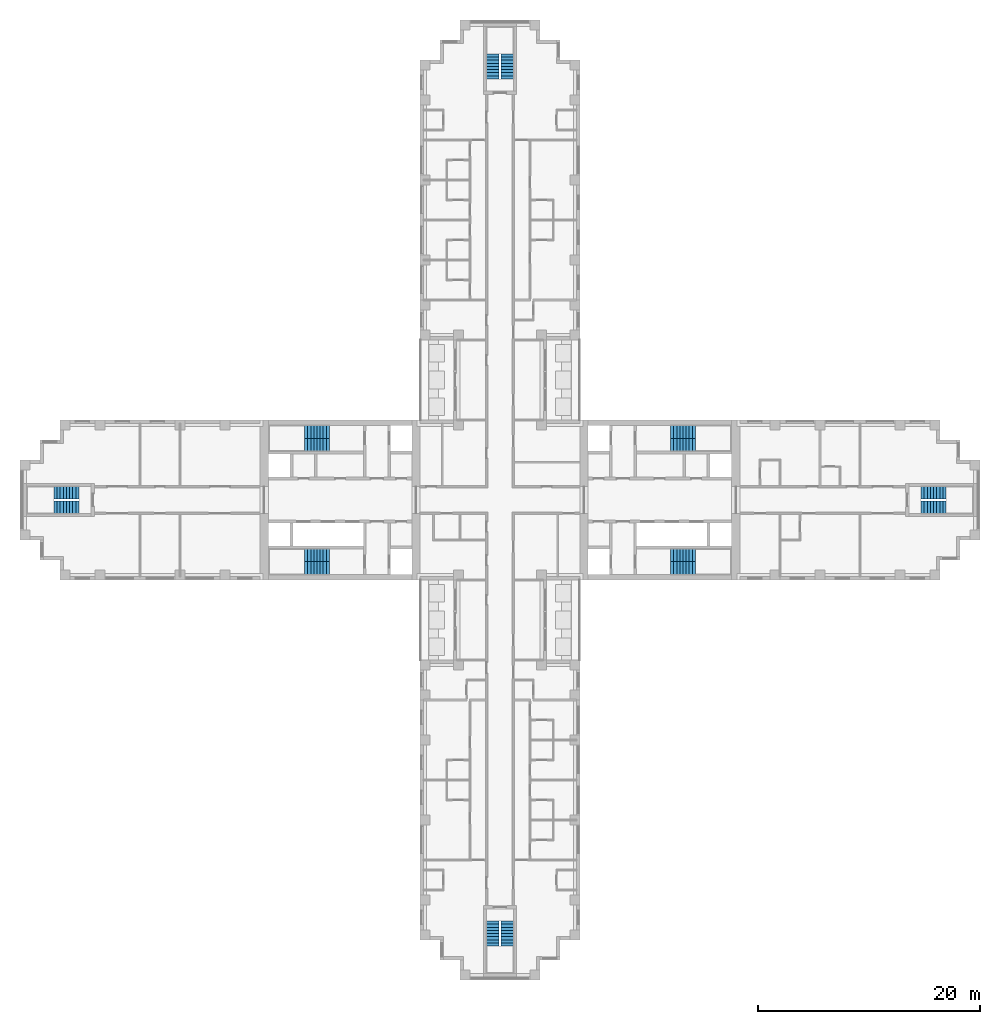
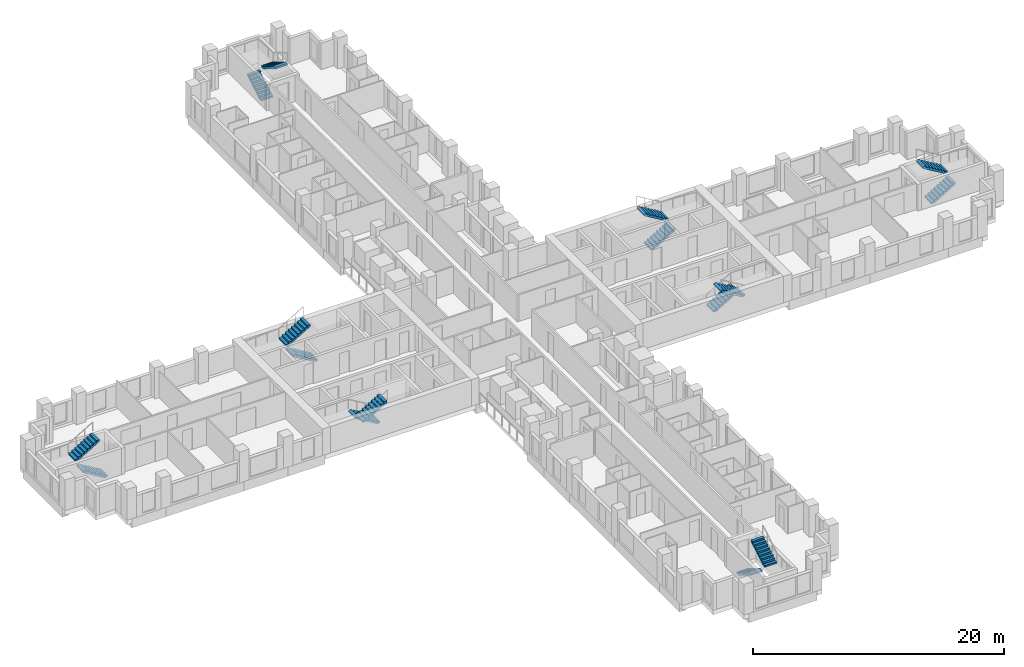
# One storey, part 13 of 15: 16 stair flights, 8 elements without a shape of their own.
"""IFC4 building model written with IfcOpenShell, lengths in metres."""

from ifc_helpers import new_model, si_unit, direction, frame, origin, place, context, subcontext, project, spatial, polyline, outline, extrude, material, type_object, element, aggregate, save


model = new_model("IFC4")

# Units and contexts
model_context = context("Model", 3, precision=1e-05, world=origin(), true_north=direction((0.0, 1.0)))
body_context = subcontext(model_context, "Body", "Model", "MODEL_VIEW")
ifc_project = project(units=[si_unit("LENGTHUNIT", "METRE"), si_unit("AREAUNIT", "SQUARE_METRE"), si_unit("VOLUMEUNIT", "CUBIC_METRE"), si_unit("PLANEANGLEUNIT", "RADIAN"), si_unit("MASSUNIT", "GRAM", prefix="KILO")], contexts=[model_context])

# Site, building, storey
site_placement = place(None, origin())
site = spatial("IfcSite", under=ifc_project, at=site_placement, CompositionType="ELEMENT")
building_placement = place(site_placement, origin())
building = spatial("IfcBuilding", under=site, at=building_placement, Name="Fustian Cross Tower", CompositionType="ELEMENT")
storey_placement = place(building_placement, frame((0.0, 0.0, 29.699951171875)))
storey = spatial("IfcBuildingStorey", under=building, at=storey_placement, Name="L08", CompositionType="ELEMENT", Elevation=29.699951171875)

# Stair, stair flights
ifc_material_1 = material(Name="Concrete C50/60", Category="concrete")
stair_type_1 = type_object("IfcStairType", Name="STAIR 1100 HALF TURN", PredefinedType="HALF_TURN_STAIR", material=ifc_material_1)
stair_1_placement = place(storey_placement, origin())
stair_1 = element("IfcStair", 1, at=stair_1_placement, inside=storey, type_object=stair_type_1, Name="Stair ST5", PredefinedType="HALF_TURN_STAIR")
ifc_material_2 = material(Name="Concrete C50/60", Category="concrete")
stair_flight_type_1 = type_object("IfcStairFlightType", Name="STAIR FLIGHT 1100", PredefinedType="STRAIGHT", material=ifc_material_2)
stair_flight_1_placement = place(storey_placement, frame((-0.64990234375, 37.89990234375, 0.0), z_axis=(0.0, 0.0, 1.0), x_axis=(0.0, 1.0, 0.0)))
stair_flight_1 = element("IfcStairFlight", 2, at=stair_flight_1_placement, type_object=stair_flight_type_1, Name="ST5 flight 1", NumberOfRisers=9, NumberOfTreads=8, PredefinedType="STRAIGHT", RiserHeight=0.166666667, TreadLength=0.28, context=body_context, shape_type="SweptSolid", body=[
    extrude(outline(polyline([(0.0, 0.0), (0.0, 0.166748046875), (0.280029296875, 0.166748046875), (0.280029296875, 0.333251953125), (0.56005859375, 0.333251953125), (0.56005859375, 0.5), (0.840087890625, 0.5), (0.840087890625, 0.666748046875), (1.1201171875, 0.666748046875), (1.1201171875, 0.833251953125), (1.39990234375, 0.833251953125), (1.39990234375, 1.0), (1.679931640625, 1.0), (1.679931640625, 1.166748046875), (1.9599609375, 1.166748046875), (1.9599609375, 1.333251953125), (2.239990234375, 1.333251953125), (2.239990234375, 1.5), (2.239990234375, 1.158935546875), (0.29296875, 0.0), (0.0, 0.0)])), frame((0.0, 0.550048828125, 0.0), z_axis=(0.0, -1.0, 0.0), x_axis=(1.0, 0.0, 0.0)), (0.0, 0.0, 1.0), 1.10009765625),
])
stair_flight_2_placement = place(storey_placement, frame((0.64990234375, 40.139892578125, 1.5), z_axis=(0.0, 0.0, 1.0), x_axis=(0.0, -1.0, 0.0)))
stair_flight_2 = element("IfcStairFlight", 3, at=stair_flight_2_placement, type_object=stair_flight_type_1, Name="ST5 flight 2", NumberOfRisers=9, NumberOfTreads=8, PredefinedType="STRAIGHT", RiserHeight=0.166666667, TreadLength=0.28, context=body_context, shape_type="SweptSolid", body=[
    extrude(outline(polyline([(0.0, 0.0), (0.0, 0.166748046875), (0.280029296875, 0.166748046875), (0.280029296875, 0.333251953125), (0.56005859375, 0.333251953125), (0.56005859375, 0.5), (0.840087890625, 0.5), (0.840087890625, 0.666748046875), (1.1201171875, 0.666748046875), (1.1201171875, 0.833251953125), (1.39990234375, 0.833251953125), (1.39990234375, 1.0), (1.679931640625, 1.0), (1.679931640625, 1.166748046875), (1.9599609375, 1.166748046875), (1.9599609375, 1.333251953125), (2.239990234375, 1.333251953125), (2.239990234375, 1.5), (2.239990234375, 1.158935546875), (0.29296875, 0.0), (0.0, 0.0)])), frame((0.0, 0.550048828125, 0.0), z_axis=(0.0, -1.0, 0.0), x_axis=(1.0, 0.0, 0.0)), (0.0, 0.0, 1.0), 1.10009765625),
])
aggregate(stair_1, [stair_flight_1, stair_flight_2])

stair_2_placement = place(storey_placement, origin())
stair_2 = element("IfcStair", 4, at=stair_2_placement, inside=storey, type_object=stair_type_1, Name="Stair ST6", PredefinedType="HALF_TURN_STAIR")
stair_flight_3_placement = place(storey_placement, frame((-0.64990234375, -37.89990234375, 0.0), z_axis=(0.0, 0.0, 1.0), x_axis=(0.0, -1.0, 0.0)))
stair_flight_3 = element("IfcStairFlight", 5, at=stair_flight_3_placement, type_object=stair_flight_type_1, Name="ST6 flight 1", NumberOfRisers=9, NumberOfTreads=8, PredefinedType="STRAIGHT", RiserHeight=0.166666667, TreadLength=0.28, context=body_context, shape_type="SweptSolid", body=[
    extrude(outline(polyline([(0.0, 0.0), (0.0, 0.166748046875), (0.280029296875, 0.166748046875), (0.280029296875, 0.333251953125), (0.56005859375, 0.333251953125), (0.56005859375, 0.5), (0.840087890625, 0.5), (0.840087890625, 0.666748046875), (1.1201171875, 0.666748046875), (1.1201171875, 0.833251953125), (1.39990234375, 0.833251953125), (1.39990234375, 1.0), (1.679931640625, 1.0), (1.679931640625, 1.166748046875), (1.9599609375, 1.166748046875), (1.9599609375, 1.333251953125), (2.239990234375, 1.333251953125), (2.239990234375, 1.5), (2.239990234375, 1.158935546875), (0.29296875, 0.0), (0.0, 0.0)])), frame((0.0, 0.550048828125, 0.0), z_axis=(0.0, -1.0, 0.0), x_axis=(1.0, 0.0, 0.0)), (0.0, 0.0, 1.0), 1.10009765625),
])
stair_flight_4_placement = place(storey_placement, frame((0.64990234375, -40.139892578125, 1.5), z_axis=(0.0, 0.0, 1.0), x_axis=(0.0, 1.0, 0.0)))
stair_flight_4 = element("IfcStairFlight", 6, at=stair_flight_4_placement, type_object=stair_flight_type_1, Name="ST6 flight 2", NumberOfRisers=9, NumberOfTreads=8, PredefinedType="STRAIGHT", RiserHeight=0.166666667, TreadLength=0.28, context=body_context, shape_type="SweptSolid", body=[
    extrude(outline(polyline([(0.0, 0.0), (0.0, 0.166748046875), (0.280029296875, 0.166748046875), (0.280029296875, 0.333251953125), (0.56005859375, 0.333251953125), (0.56005859375, 0.5), (0.840087890625, 0.5), (0.840087890625, 0.666748046875), (1.1201171875, 0.666748046875), (1.1201171875, 0.833251953125), (1.39990234375, 0.833251953125), (1.39990234375, 1.0), (1.679931640625, 1.0), (1.679931640625, 1.166748046875), (1.9599609375, 1.166748046875), (1.9599609375, 1.333251953125), (2.239990234375, 1.333251953125), (2.239990234375, 1.5), (2.239990234375, 1.158935546875), (0.29296875, 0.0), (0.0, 0.0)])), frame((0.0, 0.550048828125, 0.0), z_axis=(0.0, -1.0, 0.0), x_axis=(1.0, 0.0, 0.0)), (0.0, 0.0, 1.0), 1.10009765625),
])
aggregate(stair_2, [stair_flight_3, stair_flight_4])

stair_3_placement = place(storey_placement, origin())
stair_3 = element("IfcStair", 7, at=stair_3_placement, inside=storey, type_object=stair_type_1, Name="Stair ST8", PredefinedType="HALF_TURN_STAIR")
stair_flight_5_placement = place(storey_placement, frame((37.89990234375, -0.64990234375, 0.0), z_axis=(0.0, 0.0, 1.0), x_axis=(1.0, 0.0, 0.0)))
stair_flight_5 = element("IfcStairFlight", 8, at=stair_flight_5_placement, type_object=stair_flight_type_1, Name="ST8 flight 1", NumberOfRisers=9, NumberOfTreads=8, PredefinedType="STRAIGHT", RiserHeight=0.166666667, TreadLength=0.28, context=body_context, shape_type="SweptSolid", body=[
    extrude(outline(polyline([(0.0, 0.0), (0.0, 0.166748046875), (0.280029296875, 0.166748046875), (0.280029296875, 0.333251953125), (0.56005859375, 0.333251953125), (0.56005859375, 0.5), (0.840087890625, 0.5), (0.840087890625, 0.666748046875), (1.1201171875, 0.666748046875), (1.1201171875, 0.833251953125), (1.39990234375, 0.833251953125), (1.39990234375, 1.0), (1.679931640625, 1.0), (1.679931640625, 1.166748046875), (1.9599609375, 1.166748046875), (1.9599609375, 1.333251953125), (2.239990234375, 1.333251953125), (2.239990234375, 1.5), (2.239990234375, 1.158935546875), (0.29296875, 0.0), (0.0, 0.0)])), frame((0.0, 0.550048828125, 0.0), z_axis=(0.0, -1.0, 0.0), x_axis=(1.0, 0.0, 0.0)), (0.0, 0.0, 1.0), 1.10009765625),
])
stair_flight_6_placement = place(storey_placement, frame((40.139892578125, 0.64990234375, 1.5), z_axis=(0.0, 0.0, 1.0), x_axis=(-1.0, 0.0, 0.0)))
stair_flight_6 = element("IfcStairFlight", 9, at=stair_flight_6_placement, type_object=stair_flight_type_1, Name="ST8 flight 2", NumberOfRisers=9, NumberOfTreads=8, PredefinedType="STRAIGHT", RiserHeight=0.166666667, TreadLength=0.28, context=body_context, shape_type="SweptSolid", body=[
    extrude(outline(polyline([(0.0, 0.0), (0.0, 0.166748046875), (0.280029296875, 0.166748046875), (0.280029296875, 0.333251953125), (0.56005859375, 0.333251953125), (0.56005859375, 0.5), (0.840087890625, 0.5), (0.840087890625, 0.666748046875), (1.1201171875, 0.666748046875), (1.1201171875, 0.833251953125), (1.39990234375, 0.833251953125), (1.39990234375, 1.0), (1.679931640625, 1.0), (1.679931640625, 1.166748046875), (1.9599609375, 1.166748046875), (1.9599609375, 1.333251953125), (2.239990234375, 1.333251953125), (2.239990234375, 1.5), (2.239990234375, 1.158935546875), (0.29296875, 0.0), (0.0, 0.0)])), frame((0.0, 0.550048828125, 0.0), z_axis=(0.0, -1.0, 0.0), x_axis=(1.0, 0.0, 0.0)), (0.0, 0.0, 1.0), 1.10009765625),
])
aggregate(stair_3, [stair_flight_5, stair_flight_6])

stair_4_placement = place(storey_placement, origin())
stair_4 = element("IfcStair", 10, at=stair_4_placement, inside=storey, type_object=stair_type_1, Name="Stair ST9", PredefinedType="HALF_TURN_STAIR")
stair_flight_7_placement = place(storey_placement, frame((-37.89990234375, -0.64990234375, 0.0), z_axis=(0.0, 0.0, 1.0), x_axis=(-1.0, 0.0, 0.0)))
stair_flight_7 = element("IfcStairFlight", 11, at=stair_flight_7_placement, type_object=stair_flight_type_1, Name="ST9 flight 1", NumberOfRisers=9, NumberOfTreads=8, PredefinedType="STRAIGHT", RiserHeight=0.166666667, TreadLength=0.28, context=body_context, shape_type="SweptSolid", body=[
    extrude(outline(polyline([(0.0, 0.0), (0.0, 0.166748046875), (0.280029296875, 0.166748046875), (0.280029296875, 0.333251953125), (0.56005859375, 0.333251953125), (0.56005859375, 0.5), (0.840087890625, 0.5), (0.840087890625, 0.666748046875), (1.1201171875, 0.666748046875), (1.1201171875, 0.833251953125), (1.39990234375, 0.833251953125), (1.39990234375, 1.0), (1.679931640625, 1.0), (1.679931640625, 1.166748046875), (1.9599609375, 1.166748046875), (1.9599609375, 1.333251953125), (2.239990234375, 1.333251953125), (2.239990234375, 1.5), (2.239990234375, 1.158935546875), (0.29296875, 0.0), (0.0, 0.0)])), frame((0.0, 0.550048828125, 0.0), z_axis=(0.0, -1.0, 0.0), x_axis=(1.0, 0.0, 0.0)), (0.0, 0.0, 1.0), 1.10009765625),
])
stair_flight_8_placement = place(storey_placement, frame((-40.139892578125, 0.64990234375, 1.5), z_axis=(0.0, 0.0, 1.0), x_axis=(1.0, 0.0, 0.0)))
stair_flight_8 = element("IfcStairFlight", 12, at=stair_flight_8_placement, type_object=stair_flight_type_1, Name="ST9 flight 2", NumberOfRisers=9, NumberOfTreads=8, PredefinedType="STRAIGHT", RiserHeight=0.166666667, TreadLength=0.28, context=body_context, shape_type="SweptSolid", body=[
    extrude(outline(polyline([(0.0, 0.0), (0.0, 0.166748046875), (0.280029296875, 0.166748046875), (0.280029296875, 0.333251953125), (0.56005859375, 0.333251953125), (0.56005859375, 0.5), (0.840087890625, 0.5), (0.840087890625, 0.666748046875), (1.1201171875, 0.666748046875), (1.1201171875, 0.833251953125), (1.39990234375, 0.833251953125), (1.39990234375, 1.0), (1.679931640625, 1.0), (1.679931640625, 1.166748046875), (1.9599609375, 1.166748046875), (1.9599609375, 1.333251953125), (2.239990234375, 1.333251953125), (2.239990234375, 1.5), (2.239990234375, 1.158935546875), (0.29296875, 0.0), (0.0, 0.0)])), frame((0.0, 0.550048828125, 0.0), z_axis=(0.0, -1.0, 0.0), x_axis=(1.0, 0.0, 0.0)), (0.0, 0.0, 1.0), 1.10009765625),
])
aggregate(stair_4, [stair_flight_7, stair_flight_8])

ifc_material_3 = material(Name="Concrete C50/60", Category="concrete")
stair_type_2 = type_object("IfcStairType", Name="STAIR 1150 HALF TURN", PredefinedType="HALF_TURN_STAIR", material=ifc_material_3)
stair_5_placement = place(storey_placement, origin())
stair_5 = element("IfcStair", 13, at=stair_5_placement, inside=storey, type_object=stair_type_2, Name="Stair ST1", PredefinedType="HALF_TURN_STAIR")
ifc_material_4 = material(Name="Concrete C50/60", Category="concrete")
stair_flight_type_2 = type_object("IfcStairFlightType", Name="STAIR FLIGHT 1150", PredefinedType="STRAIGHT", material=ifc_material_4)
stair_flight_9_placement = place(storey_placement, frame((15.35009765625, 4.97509765625, 0.0), z_axis=(0.0, 0.0, 1.0), x_axis=(1.0, 0.0, 0.0)))
stair_flight_9 = element("IfcStairFlight", 14, at=stair_flight_9_placement, type_object=stair_flight_type_2, Name="ST1 flight 1", NumberOfRisers=9, NumberOfTreads=8, PredefinedType="STRAIGHT", RiserHeight=0.166666667, TreadLength=0.28, context=body_context, shape_type="SweptSolid", body=[
    extrude(outline(polyline([(0.0, 0.0), (0.0, 0.166748046875), (0.280029296875, 0.166748046875), (0.280029296875, 0.333251953125), (0.56005859375, 0.333251953125), (0.56005859375, 0.5), (0.840087890625, 0.5), (0.840087890625, 0.666748046875), (1.1201171875, 0.666748046875), (1.1201171875, 0.833251953125), (1.39990234375, 0.833251953125), (1.39990234375, 1.0), (1.679931640625, 1.0), (1.679931640625, 1.166748046875), (1.9599609375, 1.166748046875), (1.9599609375, 1.333251953125), (2.239990234375, 1.333251953125), (2.239990234375, 1.5), (2.239990234375, 1.158935546875), (0.29296875, 0.0), (0.0, 0.0)])), frame((0.0, 0.574951171875, 0.0), z_axis=(0.0, -1.0, 0.0), x_axis=(1.0, 0.0, 0.0)), (0.0, 0.0, 1.0), 1.14990234375),
])
stair_flight_10_placement = place(storey_placement, frame((17.590087890625, 6.125, 1.5), z_axis=(0.0, 0.0, 1.0), x_axis=(-1.0, 0.0, 0.0)))
stair_flight_10 = element("IfcStairFlight", 15, at=stair_flight_10_placement, type_object=stair_flight_type_2, Name="ST1 flight 2", NumberOfRisers=9, NumberOfTreads=8, PredefinedType="STRAIGHT", RiserHeight=0.166666667, TreadLength=0.28, context=body_context, shape_type="SweptSolid", body=[
    extrude(outline(polyline([(0.0, 0.0), (0.0, 0.166748046875), (0.280029296875, 0.166748046875), (0.280029296875, 0.333251953125), (0.56005859375, 0.333251953125), (0.56005859375, 0.5), (0.840087890625, 0.5), (0.840087890625, 0.666748046875), (1.1201171875, 0.666748046875), (1.1201171875, 0.833251953125), (1.39990234375, 0.833251953125), (1.39990234375, 1.0), (1.679931640625, 1.0), (1.679931640625, 1.166748046875), (1.9599609375, 1.166748046875), (1.9599609375, 1.333251953125), (2.239990234375, 1.333251953125), (2.239990234375, 1.5), (2.239990234375, 1.158935546875), (0.29296875, 0.0), (0.0, 0.0)])), frame((0.0, 0.574951171875, 0.0), z_axis=(0.0, -1.0, 0.0), x_axis=(1.0, 0.0, 0.0)), (0.0, 0.0, 1.0), 1.14990234375),
])
aggregate(stair_5, [stair_flight_9, stair_flight_10])

stair_6_placement = place(storey_placement, origin())
stair_6 = element("IfcStair", 16, at=stair_6_placement, inside=storey, type_object=stair_type_2, Name="Stair ST2", PredefinedType="HALF_TURN_STAIR")
stair_flight_11_placement = place(storey_placement, frame((15.35009765625, -4.97509765625, 0.0), z_axis=(0.0, 0.0, 1.0), x_axis=(1.0, 0.0, 0.0)))
stair_flight_11 = element("IfcStairFlight", 17, at=stair_flight_11_placement, type_object=stair_flight_type_2, Name="ST2 flight 1", NumberOfRisers=9, NumberOfTreads=8, PredefinedType="STRAIGHT", RiserHeight=0.166666667, TreadLength=0.28, context=body_context, shape_type="SweptSolid", body=[
    extrude(outline(polyline([(0.0, 0.0), (0.0, 0.166748046875), (0.280029296875, 0.166748046875), (0.280029296875, 0.333251953125), (0.56005859375, 0.333251953125), (0.56005859375, 0.5), (0.840087890625, 0.5), (0.840087890625, 0.666748046875), (1.1201171875, 0.666748046875), (1.1201171875, 0.833251953125), (1.39990234375, 0.833251953125), (1.39990234375, 1.0), (1.679931640625, 1.0), (1.679931640625, 1.166748046875), (1.9599609375, 1.166748046875), (1.9599609375, 1.333251953125), (2.239990234375, 1.333251953125), (2.239990234375, 1.5), (2.239990234375, 1.158935546875), (0.29296875, 0.0), (0.0, 0.0)])), frame((0.0, 0.574951171875, 0.0), z_axis=(0.0, -1.0, 0.0), x_axis=(1.0, 0.0, 0.0)), (0.0, 0.0, 1.0), 1.14990234375),
])
stair_flight_12_placement = place(storey_placement, frame((17.590087890625, -6.125, 1.5), z_axis=(0.0, 0.0, 1.0), x_axis=(-1.0, 0.0, 0.0)))
stair_flight_12 = element("IfcStairFlight", 18, at=stair_flight_12_placement, type_object=stair_flight_type_2, Name="ST2 flight 2", NumberOfRisers=9, NumberOfTreads=8, PredefinedType="STRAIGHT", RiserHeight=0.166666667, TreadLength=0.28, context=body_context, shape_type="SweptSolid", body=[
    extrude(outline(polyline([(0.0, 0.0), (0.0, 0.166748046875), (0.280029296875, 0.166748046875), (0.280029296875, 0.333251953125), (0.56005859375, 0.333251953125), (0.56005859375, 0.5), (0.840087890625, 0.5), (0.840087890625, 0.666748046875), (1.1201171875, 0.666748046875), (1.1201171875, 0.833251953125), (1.39990234375, 0.833251953125), (1.39990234375, 1.0), (1.679931640625, 1.0), (1.679931640625, 1.166748046875), (1.9599609375, 1.166748046875), (1.9599609375, 1.333251953125), (2.239990234375, 1.333251953125), (2.239990234375, 1.5), (2.239990234375, 1.158935546875), (0.29296875, 0.0), (0.0, 0.0)])), frame((0.0, 0.574951171875, 0.0), z_axis=(0.0, -1.0, 0.0), x_axis=(1.0, 0.0, 0.0)), (0.0, 0.0, 1.0), 1.14990234375),
])
aggregate(stair_6, [stair_flight_11, stair_flight_12])

stair_7_placement = place(storey_placement, origin())
stair_7 = element("IfcStair", 19, at=stair_7_placement, inside=storey, type_object=stair_type_2, Name="Stair ST3", PredefinedType="HALF_TURN_STAIR")
stair_flight_13_placement = place(storey_placement, frame((-15.35009765625, 4.97509765625, 0.0), z_axis=(0.0, 0.0, 1.0), x_axis=(-1.0, 0.0, 0.0)))
stair_flight_13 = element("IfcStairFlight", 20, at=stair_flight_13_placement, type_object=stair_flight_type_2, Name="ST3 flight 1", NumberOfRisers=9, NumberOfTreads=8, PredefinedType="STRAIGHT", RiserHeight=0.166666667, TreadLength=0.28, context=body_context, shape_type="SweptSolid", body=[
    extrude(outline(polyline([(0.0, 0.0), (0.0, 0.166748046875), (0.280029296875, 0.166748046875), (0.280029296875, 0.333251953125), (0.56005859375, 0.333251953125), (0.56005859375, 0.5), (0.840087890625, 0.5), (0.840087890625, 0.666748046875), (1.1201171875, 0.666748046875), (1.1201171875, 0.833251953125), (1.39990234375, 0.833251953125), (1.39990234375, 1.0), (1.679931640625, 1.0), (1.679931640625, 1.166748046875), (1.9599609375, 1.166748046875), (1.9599609375, 1.333251953125), (2.239990234375, 1.333251953125), (2.239990234375, 1.5), (2.239990234375, 1.158935546875), (0.29296875, 0.0), (0.0, 0.0)])), frame((0.0, 0.574951171875, 0.0), z_axis=(0.0, -1.0, 0.0), x_axis=(1.0, 0.0, 0.0)), (0.0, 0.0, 1.0), 1.14990234375),
])
stair_flight_14_placement = place(storey_placement, frame((-17.590087890625, 6.125, 1.5), z_axis=(0.0, 0.0, 1.0), x_axis=(1.0, 0.0, 0.0)))
stair_flight_14 = element("IfcStairFlight", 21, at=stair_flight_14_placement, type_object=stair_flight_type_2, Name="ST3 flight 2", NumberOfRisers=9, NumberOfTreads=8, PredefinedType="STRAIGHT", RiserHeight=0.166666667, TreadLength=0.28, context=body_context, shape_type="SweptSolid", body=[
    extrude(outline(polyline([(0.0, 0.0), (0.0, 0.166748046875), (0.280029296875, 0.166748046875), (0.280029296875, 0.333251953125), (0.56005859375, 0.333251953125), (0.56005859375, 0.5), (0.840087890625, 0.5), (0.840087890625, 0.666748046875), (1.1201171875, 0.666748046875), (1.1201171875, 0.833251953125), (1.39990234375, 0.833251953125), (1.39990234375, 1.0), (1.679931640625, 1.0), (1.679931640625, 1.166748046875), (1.9599609375, 1.166748046875), (1.9599609375, 1.333251953125), (2.239990234375, 1.333251953125), (2.239990234375, 1.5), (2.239990234375, 1.158935546875), (0.29296875, 0.0), (0.0, 0.0)])), frame((0.0, 0.574951171875, 0.0), z_axis=(0.0, -1.0, 0.0), x_axis=(1.0, 0.0, 0.0)), (0.0, 0.0, 1.0), 1.14990234375),
])
aggregate(stair_7, [stair_flight_13, stair_flight_14])

stair_8_placement = place(storey_placement, origin())
stair_8 = element("IfcStair", 22, at=stair_8_placement, inside=storey, type_object=stair_type_2, Name="Stair ST4", PredefinedType="HALF_TURN_STAIR")
stair_flight_15_placement = place(storey_placement, frame((-15.35009765625, -4.97509765625, 0.0), z_axis=(0.0, 0.0, 1.0), x_axis=(-1.0, 0.0, 0.0)))
stair_flight_15 = element("IfcStairFlight", 23, at=stair_flight_15_placement, type_object=stair_flight_type_2, Name="ST4 flight 1", NumberOfRisers=9, NumberOfTreads=8, PredefinedType="STRAIGHT", RiserHeight=0.166666667, TreadLength=0.28, context=body_context, shape_type="SweptSolid", body=[
    extrude(outline(polyline([(0.0, 0.0), (0.0, 0.166748046875), (0.280029296875, 0.166748046875), (0.280029296875, 0.333251953125), (0.56005859375, 0.333251953125), (0.56005859375, 0.5), (0.840087890625, 0.5), (0.840087890625, 0.666748046875), (1.1201171875, 0.666748046875), (1.1201171875, 0.833251953125), (1.39990234375, 0.833251953125), (1.39990234375, 1.0), (1.679931640625, 1.0), (1.679931640625, 1.166748046875), (1.9599609375, 1.166748046875), (1.9599609375, 1.333251953125), (2.239990234375, 1.333251953125), (2.239990234375, 1.5), (2.239990234375, 1.158935546875), (0.29296875, 0.0), (0.0, 0.0)])), frame((0.0, 0.574951171875, 0.0), z_axis=(0.0, -1.0, 0.0), x_axis=(1.0, 0.0, 0.0)), (0.0, 0.0, 1.0), 1.14990234375),
])
stair_flight_16_placement = place(storey_placement, frame((-17.590087890625, -6.125, 1.5), z_axis=(0.0, 0.0, 1.0), x_axis=(1.0, 0.0, 0.0)))
stair_flight_16 = element("IfcStairFlight", 24, at=stair_flight_16_placement, type_object=stair_flight_type_2, Name="ST4 flight 2", NumberOfRisers=9, NumberOfTreads=8, PredefinedType="STRAIGHT", RiserHeight=0.166666667, TreadLength=0.28, context=body_context, shape_type="SweptSolid", body=[
    extrude(outline(polyline([(0.0, 0.0), (0.0, 0.166748046875), (0.280029296875, 0.166748046875), (0.280029296875, 0.333251953125), (0.56005859375, 0.333251953125), (0.56005859375, 0.5), (0.840087890625, 0.5), (0.840087890625, 0.666748046875), (1.1201171875, 0.666748046875), (1.1201171875, 0.833251953125), (1.39990234375, 0.833251953125), (1.39990234375, 1.0), (1.679931640625, 1.0), (1.679931640625, 1.166748046875), (1.9599609375, 1.166748046875), (1.9599609375, 1.333251953125), (2.239990234375, 1.333251953125), (2.239990234375, 1.5), (2.239990234375, 1.158935546875), (0.29296875, 0.0), (0.0, 0.0)])), frame((0.0, 0.574951171875, 0.0), z_axis=(0.0, -1.0, 0.0), x_axis=(1.0, 0.0, 0.0)), (0.0, 0.0, 1.0), 1.14990234375),
])
aggregate(stair_8, [stair_flight_15, stair_flight_16])

save(model, "model.ifc")
